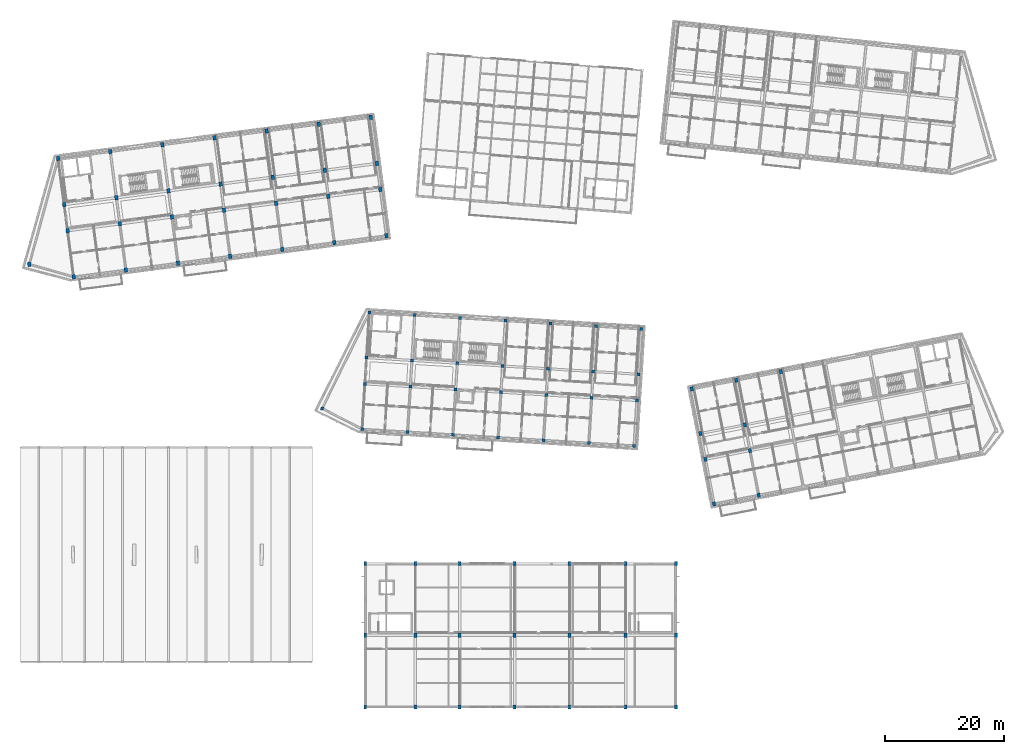
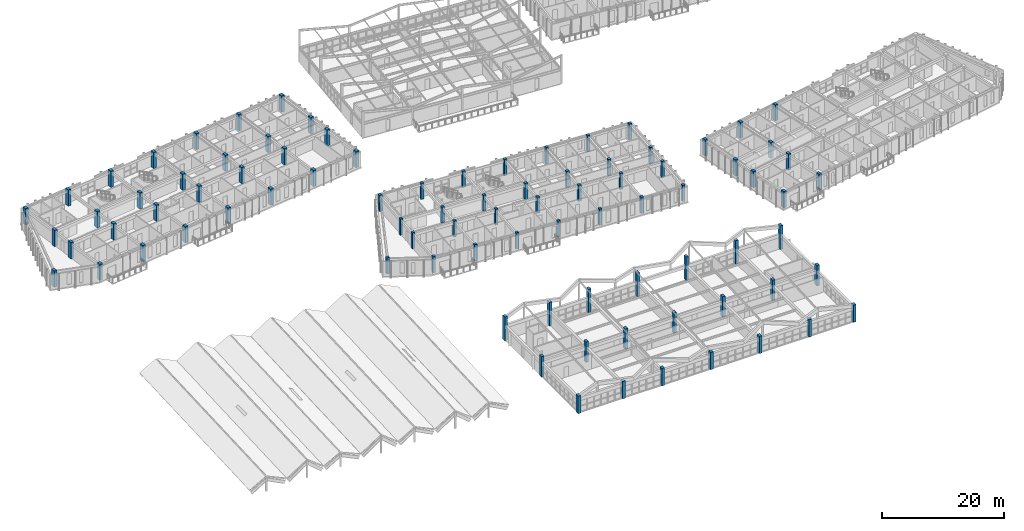
# One storey, part 1 of 127: 88 columns.
"""IFC4 building model written with IfcOpenShell, lengths in metres."""

from ifc_helpers import new_model, si_unit, direction, frame, origin, origin_2d, place, context, subcontext, project, spatial, rectangle, extrude, material, material_profile, profile_set, type_object, element, save


model = new_model("IFC4")

# Units and contexts
model_context = context("Model", 3, precision=1e-05, world=origin(), true_north=direction((0.0, 1.0)))
body_context = subcontext(model_context, "Body", "Model", "MODEL_VIEW")
ifc_project = project(units=[si_unit("LENGTHUNIT", "METRE"), si_unit("AREAUNIT", "SQUARE_METRE"), si_unit("VOLUMEUNIT", "CUBIC_METRE"), si_unit("PLANEANGLEUNIT", "RADIAN"), si_unit("MASSUNIT", "GRAM", prefix="KILO")], contexts=[model_context])

# Site, building, storey
site_placement = place(None, origin())
site = spatial("IfcSite", under=ifc_project, at=site_placement, CompositionType="ELEMENT")
building_placement = place(site_placement, origin())
building = spatial("IfcBuilding", under=site, at=building_placement, Name="Kestramere Prow Commons", CompositionType="ELEMENT")
storey_placement = place(building_placement, frame((0.0, 0.0, 8.39990234375)))
storey = spatial("IfcBuildingStorey", under=building, at=storey_placement, Name="L02", CompositionType="ELEMENT", Elevation=8.39990234375)

# Columns
ifc_material = material(Name="Precast concrete C40/50", Category="concrete")
ifc_material_profile_1 = material_profile(ifc_material, rectangle(XDim=0.550048828125, YDim=0.75, at=origin_2d()), Name="PC-COL 550x750")
ifc_profile_set_1 = profile_set([ifc_material_profile_1], Name="Precast concrete C40/50")
column_type_1 = type_object("IfcColumnType", Name="C-A2 PC-COL 550x750", PredefinedType="COLUMN", material=ifc_profile_set_1)
for number, where, z_axis, x_axis, name in (
    (1, (11.199951171875, 72.0, 0.0), (0.0, 0.0, 1.0), (0.991444861374, 0.13052619222, 0.0), "Block A L02 Column 1-1"),
    (2, (10.181884765625, 79.733154296875, 0.0), (0.0, 0.0, 1.0), (0.991444861374, 0.13052619222, 0.0), "Block A L02 Column 1-2"),
    (3, (9.607666015625, 84.095703125, 0.0), (0.0, 0.0, 1.0), (0.991444861374, 0.13052619222, 0.0), "Block A L02 Column 1-3"),
    (4, (8.58935546875, 91.828857421875, 0.0), (0.0, 0.0, 1.0), (0.991444861374, 0.13052619222, 0.0), "Block A L02 Column 1-4"),
    (5, (19.9248046875, 73.148681640625, 0.0), (0.0, 0.0, 1.0), (0.991444861374, 0.13052619222, 0.0), "Block A L02 Column 2-1"),
    (6, (18.906494140625, 80.8818359375, 0.0), (0.0, 0.0, 1.0), (0.991444861374, 0.13052619222, 0.0), "Block A L02 Column 2-2"),
    (7, (18.332275390625, 85.244140625, 0.0), (0.0, 0.0, 1.0), (0.991444861374, 0.13052619222, 0.0), "Block A L02 Column 2-3"),
    (8, (17.314208984375, 92.9775390625, 0.0), (0.0, 0.0, 1.0), (0.991444861374, 0.13052619222, 0.0), "Block A L02 Column 2-4"),
    (9, (28.6494140625, 74.29736328125, 0.0), (0.0, 0.0, 1.0), (0.991444861374, 0.13052619222, 0.0), "Block A L02 Column 3-1"),
    (10, (27.63134765625, 82.030517578125, 0.0), (0.0, 0.0, 1.0), (0.991444861374, 0.13052619222, 0.0), "Block A L02 Column 3-2"),
    (11, (27.05712890625, 86.392822265625, 0.0), (0.0, 0.0, 1.0), (0.991444861374, 0.13052619222, 0.0), "Block A L02 Column 3-3"),
    (12, (26.038818359375, 94.126220703125, 0.0), (0.0, 0.0, 1.0), (0.991444861374, 0.13052619222, 0.0), "Block A L02 Column 3-4"),
    (13, (37.3740234375, 75.44580078125, 0.0), (0.0, 0.0, 1.0), (0.991444861374, 0.13052619222, 0.0), "Block A L02 Column 4-1"),
    (14, (36.35595703125, 83.17919921875, 0.0), (0.0, 0.0, 1.0), (0.991444861374, 0.13052619222, 0.0), "Block A L02 Column 4-2"),
    (15, (35.78173828125, 87.54150390625, 0.0), (0.0, 0.0, 1.0), (0.991444861374, 0.13052619222, 0.0), "Block A L02 Column 4-3"),
    (16, (34.763671875, 95.27490234375, 0.0), (0.0, 0.0, 1.0), (0.991444861374, 0.13052619222, 0.0), "Block A L02 Column 4-4"),
    (17, (46.098876953125, 76.594482421875, 0.0), (0.0, 0.0, 1.0), (0.991444861374, 0.13052619222, 0.0), "Block A L02 Column 5-1"),
    (18, (45.080810546875, 84.327880859375, 0.0), (0.0, 0.0, 1.0), (0.991444861374, 0.13052619222, 0.0), "Block A L02 Column 5-2"),
    (19, (44.50634765625, 88.690185546875, 0.0), (0.0, 0.0, 1.0), (0.991444861374, 0.13052619222, 0.0), "Block A L02 Column 5-3"),
    (20, (43.48828125, 96.42333984375, 0.0), (0.0, 0.0, 1.0), (0.991444861374, 0.13052619222, 0.0), "Block A L02 Column 5-4"),
    (21, (54.823486328125, 77.7431640625, 0.0), (0.0, 0.0, 1.0), (0.991444861374, 0.13052619222, 0.0), "Block A L02 Column 6-1"),
    (22, (53.805419921875, 85.476318359375, 0.0), (0.0, 0.0, 1.0), (0.991444861374, 0.13052619222, 0.0), "Block A L02 Column 6-2"),
    (23, (53.231201171875, 89.8388671875, 0.0), (0.0, 0.0, 1.0), (0.991444861374, 0.13052619222, 0.0), "Block A L02 Column 6-3"),
    (24, (52.213134765625, 97.572021484375, 0.0), (0.0, 0.0, 1.0), (0.991444861374, 0.13052619222, 0.0), "Block A L02 Column 6-4"),
    (25, (63.54833984375, 78.891845703125, 0.0), (0.0, 0.0, 1.0), (0.991444861374, 0.13052619222, 0.0), "Block A L02 Column 7-1"),
    (26, (62.5302734375, 86.625, 0.0), (0.0, 0.0, 1.0), (0.991444861374, 0.13052619222, 0.0), "Block A L02 Column 7-2"),
    (27, (61.955810546875, 90.9873046875, 0.0), (0.0, 0.0, 1.0), (0.991444861374, 0.13052619222, 0.0), "Block A L02 Column 7-3"),
    (28, (60.937744140625, 98.720703125, 0.0), (0.0, 0.0, 1.0), (0.991444861374, 0.13052619222, 0.0), "Block A L02 Column 7-4"),
    (29, (3.7626953125, 74.09716796875, 0.0), (0.0, 0.0, 1.0), (0.991444861374, 0.13052619222, 0.0), "Block A L02 Prow Apex Column"),
):
    element("IfcColumn", number, at=place(storey_placement, frame(where, z_axis=z_axis, x_axis=x_axis)), inside=storey, type_object=column_type_1, Name=name, PredefinedType="COLUMN", context=body_context, shape_type="SweptSolid", body=[
        extrude(rectangle(XDim=0.550048828125, YDim=0.75, at=origin_2d()), origin(), (0.0, 0.0, 1.0), 3.25),
    ])
ifc_material_profile_2 = material_profile(ifc_material, rectangle(XDim=0.5, YDim=0.5, at=origin_2d()), Name="PC-COL 500x500")
ifc_profile_set_2 = profile_set([ifc_material_profile_2], Name="Precast concrete C40/50")
column_type_2 = type_object("IfcColumnType", Name="C-C2 PC-COL 500x500", PredefinedType="COLUMN", material=ifc_profile_set_2)
for number, where, z_axis, x_axis, name in (
    (30, (59.5, 46.5, 0.0), (0.0, 0.0, 1.0), (0.998134798422, -0.061048539535, 0.0), "Block C L02 Column 1-1"),
    (31, (59.9638671875, 54.0859375, 0.0), (0.0, 0.0, 1.0), (0.998134798422, -0.061048539535, 0.0), "Block C L02 Column 1-2"),
    (32, (60.232666015625, 58.4775390625, 0.0), (0.0, 0.0, 1.0), (0.998134798422, -0.061048539535, 0.0), "Block C L02 Column 1-3"),
    (33, (60.696533203125, 66.0634765625, 0.0), (0.0, 0.0, 1.0), (0.998134798422, -0.061048539535, 0.0), "Block C L02 Column 1-4"),
    (34, (67.0859375, 46.0361328125, 0.0), (0.0, 0.0, 1.0), (0.998134798422, -0.061048539535, 0.0), "Block C L02 Column 2-1"),
    (35, (67.5498046875, 53.621826171875, 0.0), (0.0, 0.0, 1.0), (0.998134798422, -0.061048539535, 0.0), "Block C L02 Column 2-2"),
    (36, (67.818359375, 58.013671875, 0.0), (0.0, 0.0, 1.0), (0.998134798422, -0.061048539535, 0.0), "Block C L02 Column 2-3"),
    (37, (68.282470703125, 65.599365234375, 0.0), (0.0, 0.0, 1.0), (0.998134798422, -0.061048539535, 0.0), "Block C L02 Column 2-4"),
    (38, (74.671630859375, 45.572021484375, 0.0), (0.0, 0.0, 1.0), (0.998134798422, -0.061048539535, 0.0), "Block C L02 Column 3-1"),
    (39, (75.135498046875, 53.157958984375, 0.0), (0.0, 0.0, 1.0), (0.998134798422, -0.061048539535, 0.0), "Block C L02 Column 3-2"),
    (40, (75.404296875, 57.549560546875, 0.0), (0.0, 0.0, 1.0), (0.998134798422, -0.061048539535, 0.0), "Block C L02 Column 3-3"),
    (41, (75.8681640625, 65.135498046875, 0.0), (0.0, 0.0, 1.0), (0.998134798422, -0.061048539535, 0.0), "Block C L02 Column 3-4"),
    (42, (82.257568359375, 45.108154296875, 0.0), (0.0, 0.0, 1.0), (0.998134798422, -0.061048539535, 0.0), "Block C L02 Column 4-1"),
    (43, (82.721435546875, 52.69384765625, 0.0), (0.0, 0.0, 1.0), (0.998134798422, -0.061048539535, 0.0), "Block C L02 Column 4-2"),
    (44, (82.989990234375, 57.085693359375, 0.0), (0.0, 0.0, 1.0), (0.998134798422, -0.061048539535, 0.0), "Block C L02 Column 4-3"),
    (45, (83.4541015625, 64.671630859375, 0.0), (0.0, 0.0, 1.0), (0.998134798422, -0.061048539535, 0.0), "Block C L02 Column 4-4"),
    (46, (89.84326171875, 44.64404296875, 0.0), (0.0, 0.0, 1.0), (0.998134798422, -0.061048539535, 0.0), "Block C L02 Column 5-1"),
    (47, (90.307373046875, 52.22998046875, 0.0), (0.0, 0.0, 1.0), (0.998134798422, -0.061048539535, 0.0), "Block C L02 Column 5-2"),
    (48, (90.575927734375, 56.621826171875, 0.0), (0.0, 0.0, 1.0), (0.998134798422, -0.061048539535, 0.0), "Block C L02 Column 5-3"),
    (49, (91.039794921875, 64.20751953125, 0.0), (0.0, 0.0, 1.0), (0.998134798422, -0.061048539535, 0.0), "Block C L02 Column 5-4"),
    (50, (97.42919921875, 44.18017578125, 0.0), (0.0, 0.0, 1.0), (0.998134798422, -0.061048539535, 0.0), "Block C L02 Column 6-1"),
    (51, (97.89306640625, 51.765869140625, 0.0), (0.0, 0.0, 1.0), (0.998134798422, -0.061048539535, 0.0), "Block C L02 Column 6-2"),
    (52, (98.16162109375, 56.15771484375, 0.0), (0.0, 0.0, 1.0), (0.998134798422, -0.061048539535, 0.0), "Block C L02 Column 6-3"),
    (53, (98.625732421875, 63.74365234375, 0.0), (0.0, 0.0, 1.0), (0.998134798422, -0.061048539535, 0.0), "Block C L02 Column 6-4"),
    (54, (105.014892578125, 43.71630859375, 0.0), (0.0, 0.0, 1.0), (0.998134798422, -0.061048539535, 0.0), "Block C L02 Column 7-1"),
    (55, (105.47900390625, 51.302001953125, 0.0), (0.0, 0.0, 1.0), (0.998134798422, -0.061048539535, 0.0), "Block C L02 Column 7-2"),
    (56, (105.74755859375, 55.69384765625, 0.0), (0.0, 0.0, 1.0), (0.998134798422, -0.061048539535, 0.0), "Block C L02 Column 7-3"),
    (57, (106.21142578125, 63.279541015625, 0.0), (0.0, 0.0, 1.0), (0.998134798422, -0.061048539535, 0.0), "Block C L02 Column 7-4"),
    (58, (52.799072265625, 49.965576171875, 0.0), (0.0, 0.0, 1.0), (0.998134798422, -0.061048539535, 0.0), "Block C L02 Prow Apex Column"),
):
    element("IfcColumn", number, at=place(storey_placement, frame(where, z_axis=z_axis, x_axis=x_axis)), inside=storey, type_object=column_type_2, Name=name, PredefinedType="COLUMN", context=body_context, shape_type="SweptSolid", body=[
        extrude(rectangle(XDim=0.5, YDim=0.5, at=origin_2d()), origin(), (0.0, 0.0, 1.0), 3.25),
    ])
ifc_material_profile_3 = material_profile(ifc_material, rectangle(XDim=0.5, YDim=0.699951171875, at=origin_2d()), Name="PC-COL 500x700")
ifc_profile_set_3 = profile_set([ifc_material_profile_3], Name="Precast concrete C40/50")
column_type_3 = type_object("IfcColumnType", Name="C-D2 PC-COL 500x700", PredefinedType="COLUMN", material=ifc_profile_set_3)
for number, where, z_axis, x_axis, name in (
    (59, (118.39990234375, 34.0, 0.0), (0.0, 0.0, 1.0), (0.981627183448, 0.190808995377, 0.0), "Block D L02 Column 1-1"),
    (60, (116.949951171875, 41.46044921875, 0.0), (0.0, 0.0, 1.0), (0.981627183448, 0.190808995377, 0.0), "Block D L02 Column 1-2"),
    (61, (116.1103515625, 45.779541015625, 0.0), (0.0, 0.0, 1.0), (0.981627183448, 0.190808995377, 0.0), "Block D L02 Column 1-3"),
    (62, (114.66015625, 53.239990234375, 0.0), (0.0, 0.0, 1.0), (0.981627183448, 0.190808995377, 0.0), "Block D L02 Column 1-4"),
    (63, (125.8603515625, 35.4501953125, 0.0), (0.0, 0.0, 1.0), (0.981627183448, 0.190808995377, 0.0), "Block D L02 Column 2-1"),
    (64, (124.41015625, 42.910400390625, 0.0), (0.0, 0.0, 1.0), (0.981627183448, 0.190808995377, 0.0), "Block D L02 Column 2-2"),
    (65, (123.570556640625, 47.229736328125, 0.0), (0.0, 0.0, 1.0), (0.981627183448, 0.190808995377, 0.0), "Block D L02 Column 2-3"),
    (66, (122.12060546875, 54.68994140625, 0.0), (0.0, 0.0, 1.0), (0.981627183448, 0.190808995377, 0.0), "Block D L02 Column 2-4"),
    (67, (129.580810546875, 56.14013671875, 0.0), (0.0, 0.0, 1.0), (0.981627183448, 0.190808995377, 0.0), "Block D L02 Column 3-4"),
):
    element("IfcColumn", number, at=place(storey_placement, frame(where, z_axis=z_axis, x_axis=x_axis)), inside=storey, type_object=column_type_3, Name=name, PredefinedType="COLUMN", context=body_context, shape_type="SweptSolid", body=[
        extrude(rectangle(XDim=0.5, YDim=0.699951171875, at=origin_2d()), origin(), (0.0, 0.0, 1.0), 3.25),
    ])
ifc_material_profile_4 = material_profile(ifc_material, rectangle(XDim=0.5, YDim=0.699951171875, at=origin_2d()), Name="PC-COL 500x700")
ifc_profile_set_4 = profile_set([ifc_material_profile_4], Name="Precast concrete C40/50")
column_type_4 = type_object("IfcColumnType", Name="C-MK-01 PC-COL 500x700", PredefinedType="COLUMN", material=ifc_profile_set_4)
column_1_placement = place(storey_placement, frame((60.0, 0.0, 0.0), z_axis=(0.0, 0.0, 1.0), x_axis=(1.0, 0.0, 0.0)))
element("IfcColumn", 68, at=column_1_placement, inside=storey, type_object=column_type_4, Name="Market Spine L02 Column 1-1", PredefinedType="COLUMN", context=body_context, shape_type="SweptSolid", body=[
    extrude(rectangle(XDim=0.5, YDim=0.699951171875, at=origin_2d()), origin(), (0.0, 0.0, 1.0), 3.47021484375),
])
column_2_placement = place(storey_placement, frame((60.0, 12.0, 0.0), z_axis=(0.0, 0.0, 1.0), x_axis=(1.0, 0.0, 0.0)))
element("IfcColumn", 69, at=column_2_placement, inside=storey, type_object=column_type_4, Name="Market Spine L02 Column 1-2", PredefinedType="COLUMN", context=body_context, shape_type="SweptSolid", body=[
    extrude(rectangle(XDim=0.5, YDim=0.699951171875, at=origin_2d()), origin(), (0.0, 0.0, 1.0), 4.09521484375),
])
column_3_placement = place(storey_placement, frame((60.0, 24.0, 0.0), z_axis=(0.0, 0.0, 1.0), x_axis=(1.0, 0.0, 0.0)))
element("IfcColumn", 70, at=column_3_placement, inside=storey, type_object=column_type_4, Name="Market Spine L02 Column 1-3", PredefinedType="COLUMN", context=body_context, shape_type="SweptSolid", body=[
    extrude(rectangle(XDim=0.5, YDim=0.699951171875, at=origin_2d()), origin(), (0.0, 0.0, 1.0), 4.72021484375),
])
column_4_placement = place(storey_placement, frame((68.39990234375, 0.0, 0.0), z_axis=(0.0, 0.0, 1.0), x_axis=(1.0, 0.0, 0.0)))
element("IfcColumn", 71, at=column_4_placement, inside=storey, type_object=column_type_4, Name="Market Spine L02 Column 2-1", PredefinedType="COLUMN", context=body_context, shape_type="SweptSolid", body=[
    extrude(rectangle(XDim=0.5, YDim=0.699951171875, at=origin_2d()), origin(), (0.0, 0.0, 1.0), 3.47021484375),
])
column_5_placement = place(storey_placement, frame((68.39990234375, 24.0, 0.0), z_axis=(0.0, 0.0, 1.0), x_axis=(1.0, 0.0, 0.0)))
element("IfcColumn", 72, at=column_5_placement, inside=storey, type_object=column_type_4, Name="Market Spine L02 Column 2-3", PredefinedType="COLUMN", context=body_context, shape_type="SweptSolid", body=[
    extrude(rectangle(XDim=0.5, YDim=0.699951171875, at=origin_2d()), origin(), (0.0, 0.0, 1.0), 4.72021484375),
])
column_6_placement = place(storey_placement, frame((75.800048828125, 0.0, 0.0), z_axis=(0.0, 0.0, 1.0), x_axis=(1.0, 0.0, 0.0)))
element("IfcColumn", 73, at=column_6_placement, inside=storey, type_object=column_type_4, Name="Market Spine L02 Column 3-1", PredefinedType="COLUMN", context=body_context, shape_type="SweptSolid", body=[
    extrude(rectangle(XDim=0.5, YDim=0.699951171875, at=origin_2d()), origin(), (0.0, 0.0, 1.0), 3.47021484375),
])
column_7_placement = place(storey_placement, frame((75.800048828125, 24.0, 0.0), z_axis=(0.0, 0.0, 1.0), x_axis=(1.0, 0.0, 0.0)))
element("IfcColumn", 74, at=column_7_placement, inside=storey, type_object=column_type_4, Name="Market Spine L02 Column 3-3", PredefinedType="COLUMN", context=body_context, shape_type="SweptSolid", body=[
    extrude(rectangle(XDim=0.5, YDim=0.699951171875, at=origin_2d()), origin(), (0.0, 0.0, 1.0), 4.72021484375),
])
column_8_placement = place(storey_placement, frame((85.0, 0.0, 0.0), z_axis=(0.0, 0.0, 1.0), x_axis=(1.0, 0.0, 0.0)))
element("IfcColumn", 75, at=column_8_placement, inside=storey, type_object=column_type_4, Name="Market Spine L02 Column 4-1", PredefinedType="COLUMN", context=body_context, shape_type="SweptSolid", body=[
    extrude(rectangle(XDim=0.5, YDim=0.699951171875, at=origin_2d()), origin(), (0.0, 0.0, 1.0), 3.47021484375),
])
column_9_placement = place(storey_placement, frame((85.0, 24.0, 0.0), z_axis=(0.0, 0.0, 1.0), x_axis=(1.0, 0.0, 0.0)))
element("IfcColumn", 76, at=column_9_placement, inside=storey, type_object=column_type_4, Name="Market Spine L02 Column 4-3", PredefinedType="COLUMN", context=body_context, shape_type="SweptSolid", body=[
    extrude(rectangle(XDim=0.5, YDim=0.699951171875, at=origin_2d()), origin(), (0.0, 0.0, 1.0), 4.72021484375),
])
column_10_placement = place(storey_placement, frame((94.199951171875, 0.0, 0.0), z_axis=(0.0, 0.0, 1.0), x_axis=(1.0, 0.0, 0.0)))
element("IfcColumn", 77, at=column_10_placement, inside=storey, type_object=column_type_4, Name="Market Spine L02 Column 5-1", PredefinedType="COLUMN", context=body_context, shape_type="SweptSolid", body=[
    extrude(rectangle(XDim=0.5, YDim=0.699951171875, at=origin_2d()), origin(), (0.0, 0.0, 1.0), 3.47021484375),
])
column_11_placement = place(storey_placement, frame((94.199951171875, 24.0, 0.0), z_axis=(0.0, 0.0, 1.0), x_axis=(1.0, 0.0, 0.0)))
element("IfcColumn", 78, at=column_11_placement, inside=storey, type_object=column_type_4, Name="Market Spine L02 Column 5-3", PredefinedType="COLUMN", context=body_context, shape_type="SweptSolid", body=[
    extrude(rectangle(XDim=0.5, YDim=0.699951171875, at=origin_2d()), origin(), (0.0, 0.0, 1.0), 4.72021484375),
])
column_12_placement = place(storey_placement, frame((103.60009765625, 0.0, 0.0), z_axis=(0.0, 0.0, 1.0), x_axis=(1.0, 0.0, 0.0)))
element("IfcColumn", 79, at=column_12_placement, inside=storey, type_object=column_type_4, Name="Market Spine L02 Column 6-1", PredefinedType="COLUMN", context=body_context, shape_type="SweptSolid", body=[
    extrude(rectangle(XDim=0.5, YDim=0.699951171875, at=origin_2d()), origin(), (0.0, 0.0, 1.0), 3.47021484375),
])
column_13_placement = place(storey_placement, frame((103.60009765625, 24.0, 0.0), z_axis=(0.0, 0.0, 1.0), x_axis=(1.0, 0.0, 0.0)))
element("IfcColumn", 80, at=column_13_placement, inside=storey, type_object=column_type_4, Name="Market Spine L02 Column 6-3", PredefinedType="COLUMN", context=body_context, shape_type="SweptSolid", body=[
    extrude(rectangle(XDim=0.5, YDim=0.699951171875, at=origin_2d()), origin(), (0.0, 0.0, 1.0), 4.72021484375),
])
column_14_placement = place(storey_placement, frame((112.0, 0.0, 0.0), z_axis=(0.0, 0.0, 1.0), x_axis=(1.0, 0.0, 0.0)))
element("IfcColumn", 81, at=column_14_placement, inside=storey, type_object=column_type_4, Name="Market Spine L02 Column 7-1", PredefinedType="COLUMN", context=body_context, shape_type="SweptSolid", body=[
    extrude(rectangle(XDim=0.5, YDim=0.699951171875, at=origin_2d()), origin(), (0.0, 0.0, 1.0), 3.47021484375),
])
column_15_placement = place(storey_placement, frame((112.0, 12.0, 0.0), z_axis=(0.0, 0.0, 1.0), x_axis=(1.0, 0.0, 0.0)))
element("IfcColumn", 82, at=column_15_placement, inside=storey, type_object=column_type_4, Name="Market Spine L02 Column 7-2", PredefinedType="COLUMN", context=body_context, shape_type="SweptSolid", body=[
    extrude(rectangle(XDim=0.5, YDim=0.699951171875, at=origin_2d()), origin(), (0.0, 0.0, 1.0), 4.09521484375),
])
column_16_placement = place(storey_placement, frame((112.0, 24.0, 0.0), z_axis=(0.0, 0.0, 1.0), x_axis=(1.0, 0.0, 0.0)))
element("IfcColumn", 83, at=column_16_placement, inside=storey, type_object=column_type_4, Name="Market Spine L02 Column 7-3", PredefinedType="COLUMN", context=body_context, shape_type="SweptSolid", body=[
    extrude(rectangle(XDim=0.5, YDim=0.699951171875, at=origin_2d()), origin(), (0.0, 0.0, 1.0), 4.72021484375),
])
ifc_material_profile_5 = material_profile(ifc_material, rectangle(XDim=0.5, YDim=0.699951171875, at=origin_2d()), Name="PC-COL 500x700")
ifc_profile_set_5 = profile_set([ifc_material_profile_5], Name="Precast concrete C40/50")
column_type_5 = type_object("IfcColumnType", Name="C-MK-01 PC-COL 500x700 (IN)", PredefinedType="COLUMN", material=ifc_profile_set_5)
for number, where, z_axis, x_axis, name in (
    (84, (68.39990234375, 12.0, 0.0), (0.0, 0.0, 1.0), (1.0, 0.0, 0.0), "Market Spine L02 Column 2-2"),
    (85, (75.800048828125, 12.0, 0.0), (0.0, 0.0, 1.0), (1.0, 0.0, 0.0), "Market Spine L02 Column 3-2"),
    (86, (85.0, 12.0, 0.0), (0.0, 0.0, 1.0), (1.0, 0.0, 0.0), "Market Spine L02 Column 4-2"),
    (87, (94.199951171875, 12.0, 0.0), (0.0, 0.0, 1.0), (1.0, 0.0, 0.0), "Market Spine L02 Column 5-2"),
    (88, (103.60009765625, 12.0, 0.0), (0.0, 0.0, 1.0), (1.0, 0.0, 0.0), "Market Spine L02 Column 6-2"),
):
    element("IfcColumn", number, at=place(storey_placement, frame(where, z_axis=z_axis, x_axis=x_axis)), inside=storey, type_object=column_type_5, Name=name, PredefinedType="COLUMN", context=body_context, shape_type="SweptSolid", body=[
        extrude(rectangle(XDim=0.5, YDim=0.699951171875, at=origin_2d()), origin(), (0.0, 0.0, 1.0), 4.09521484375),
    ])

save(model, "model.ifc")
